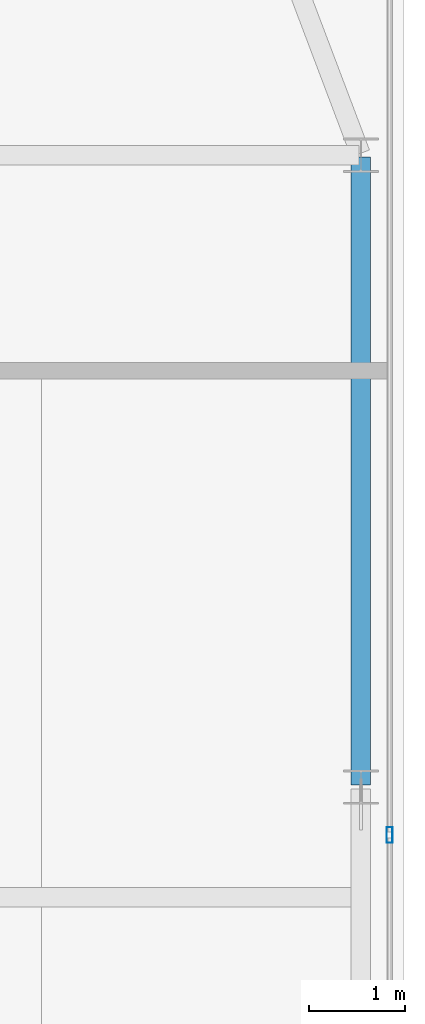
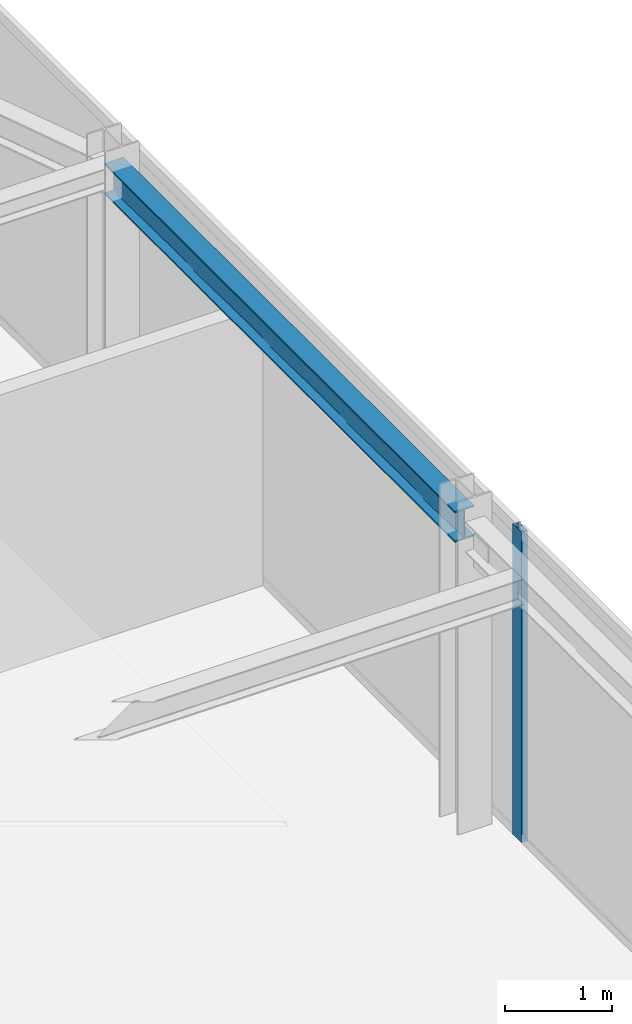
# One storey, part 15 of 25: 1 beam, 1 member, 1 element without a shape of its own.
"""IFC4 building model written with IfcOpenShell, lengths in metres."""

from ifc_helpers import new_model, si_unit, direction, frame, origin, origin_2d, place, context, subcontext, project, spatial, hollow_rectangle, i_section, extrude, source, transform, mapped, material, layer, layer_set, material_profile, profile_set, type_object, type_shapes, element, aggregate, save


model = new_model("IFC4")

# Units and contexts
model_context = context("Model", 3, precision=1e-05, world=origin(), true_north=direction((0.0, 1.0)))
body_context = subcontext(model_context, "Body", "Model", "MODEL_VIEW")
ifc_project = project(units=[si_unit("LENGTHUNIT", "METRE"), si_unit("AREAUNIT", "SQUARE_METRE"), si_unit("VOLUMEUNIT", "CUBIC_METRE"), si_unit("PLANEANGLEUNIT", "RADIAN"), si_unit("MASSUNIT", "GRAM", prefix="KILO")], contexts=[model_context])

# Site, building, storey
site_placement = place(None, origin())
site = spatial("IfcSite", under=ifc_project, at=site_placement, CompositionType="ELEMENT")
building_placement = place(site_placement, origin())
building = spatial("IfcBuilding", under=site, at=building_placement, Name="Varnel Quay Broadcast Tower", CompositionType="ELEMENT")
storey_placement = place(building_placement, frame((0.0, 0.0, 226.39990234375)))
storey = spatial("IfcBuildingStorey", under=building, at=storey_placement, Name="L56", CompositionType="ELEMENT", Elevation=226.39990234375)

# Beam
ifc_material_1 = material(Name="Structural Steel CSA G40.21 350W", Category="steel")
ifc_material_profile_1 = material_profile(ifc_material_1, i_section(OverallWidth=0.205078125, OverallDepth=0.35400390625, WebThickness=0.009521484375, FlangeThickness=0.016845703125, FilletRadius=0.012939453125, at=origin_2d()), Name="W360X79")
ifc_profile_set_1 = profile_set([ifc_material_profile_1], Name="Structural Steel CSA G40.21 350W")
beam_type = type_object("IfcBeamType", Name="Beam_W360X79", PredefinedType="SPANDREL", material=ifc_profile_set_1)
shared_shape_1 = source(origin(), body_context, "Body", "SweptSolid", [
    extrude(i_section(OverallWidth=0.205078125, OverallDepth=0.35400390625, WebThickness=0.009521484375, FlangeThickness=0.016845703125, FilletRadius=0.012939453125, at=origin_2d()), origin(), (0.0, 0.0, 1.0), 6.56005859375),
])
type_shapes(beam_type, [shared_shape_1])
beam_placement = place(storey_placement, frame((58.050048828125, 29.02001953125, 3.373046875), z_axis=(0.0, 1.0, 0.0), x_axis=(-1.0, 0.0, 0.0)))
element("IfcBeam", 1, at=beam_placement, inside=storey, type_object=beam_type, Name="L56 East Spandrel TC-E2-TC-E3", PredefinedType="SPANDREL", context=body_context, shape_type="MappedRepresentation", body=[
    mapped(shared_shape_1, transform((0.0, 0.0, 0.0), x_axis=(1.0, 0.0, 0.0), y_axis=(0.0, 1.0, 0.0), z_axis=(0.0, 0.0, 1.0), scale=1.0)),
])

# Curtain wall, member
ifc_material_2 = material(Name="Anodised Bronze Aluminium 6063-T6", Category="aluminium")
ifc_layer = layer(ifc_material_2, 0.18994140625, Name="Anodised Bronze Aluminium 6063-T6")
ifc_layer_set = layer_set([ifc_layer], Name="Anodised Bronze Aluminium 6063-T6")
curtain_wall_type = type_object("IfcCurtainWallType", Name="CW_UpperTower", PredefinedType="NOTDEFINED", material=ifc_layer_set)
curtain_wall_placement = place(storey_placement, origin())
curtain_wall = element("IfcCurtainWall", 2, at=curtain_wall_placement, inside=storey, type_object=curtain_wall_type, Name="L56 East Unitised Curtain Wall", PredefinedType="NOTDEFINED")
ifc_material_profile_2 = material_profile(ifc_material_2, hollow_rectangle(XDim=0.06494140625, YDim=0.1650390625, WallThickness=0.00341796875, at=origin_2d()), Name="ALU65X165X3.5")
ifc_profile_set_2 = profile_set([ifc_material_profile_2], Name="Anodised Bronze Aluminium 6063-T6")
member_type = type_object("IfcMemberType", Name="Mull_CWS-03", PredefinedType="MULLION", material=ifc_profile_set_2)
shared_shape_2 = source(origin(), body_context, "Body", "SweptSolid", [
    extrude(hollow_rectangle(XDim=0.06494140625, YDim=0.1650390625, WallThickness=0.00341796875, at=origin_2d()), origin(), (0.0, 0.0, 1.0), 3.550048828125),
])
type_shapes(member_type, [shared_shape_2])
member_placement = place(storey_placement, frame((58.35009765625, 28.5, 0.0), z_axis=(0.0, 0.0, 1.0), x_axis=(-1.0, 0.0, 0.0)))
member = element("IfcMember", 3, at=member_placement, type_object=member_type, Name="CWS-03 mullion 2", PredefinedType="MULLION", context=body_context, shape_type="MappedRepresentation", body=[
    mapped(shared_shape_2, transform((0.0, 0.0, 0.0), x_axis=(1.0, 0.0, 0.0), y_axis=(0.0, 1.0, 0.0), z_axis=(0.0, 0.0, 1.0), scale=1.0)),
])
aggregate(curtain_wall, [member])

save(model, "model.ifc")
